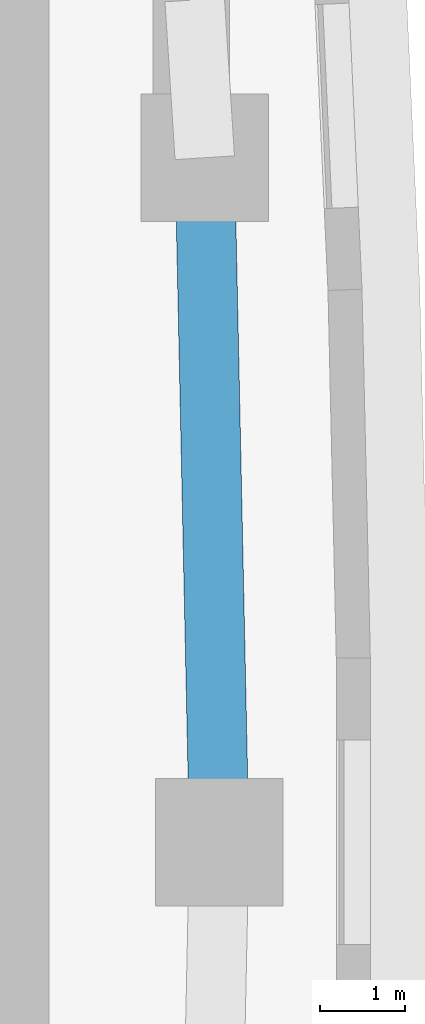
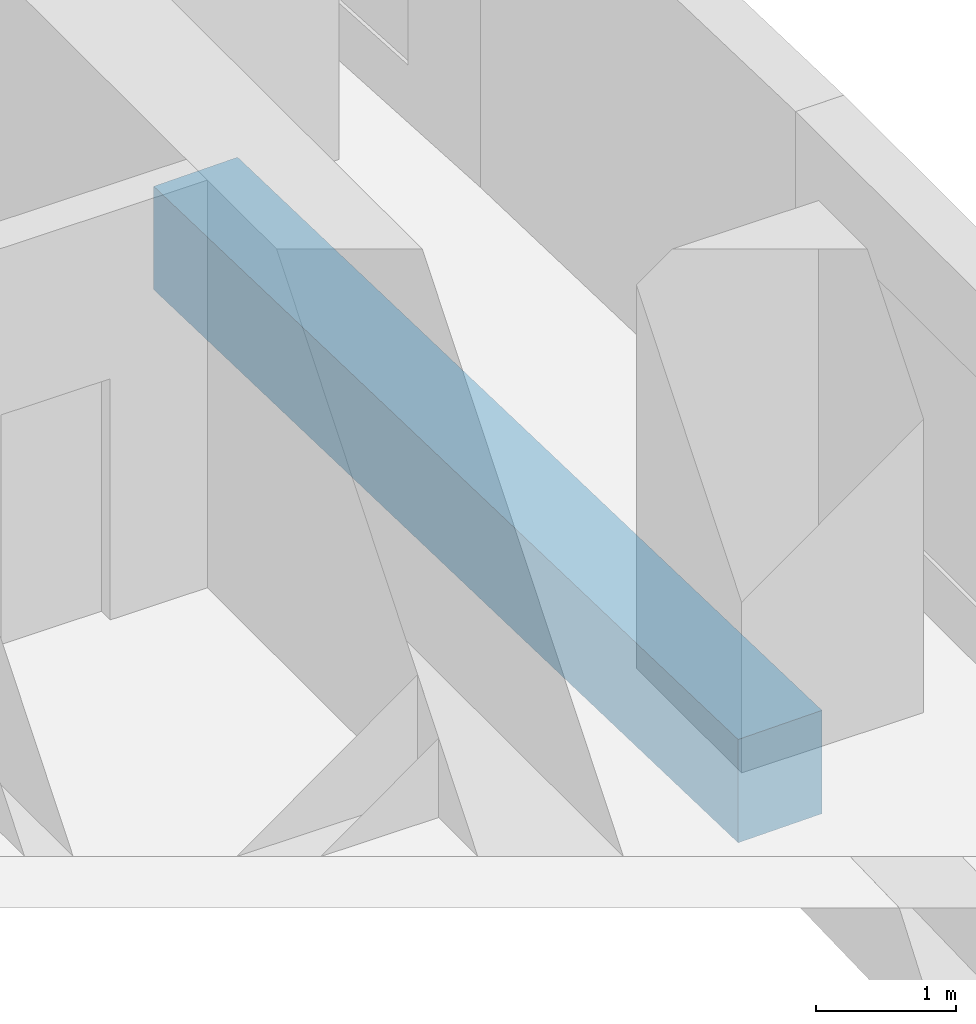
# One storey, part 4 of 17: 1 beam.
"""IFC4 building model written with IfcOpenShell, lengths in metres."""

from ifc_helpers import new_model, si_unit, direction, frame, origin, origin_2d, place, context, subcontext, project, spatial, rectangle, extrude, material, material_profile, profile_set, type_object, element, save


model = new_model("IFC4")

# Units and contexts
model_context = context("Model", 3, precision=1e-05, world=origin(), true_north=direction((0.0, 1.0)))
body_context = subcontext(model_context, "Body", "Model", "MODEL_VIEW")
ifc_project = project(units=[si_unit("LENGTHUNIT", "METRE"), si_unit("AREAUNIT", "SQUARE_METRE"), si_unit("VOLUMEUNIT", "CUBIC_METRE"), si_unit("PLANEANGLEUNIT", "RADIAN"), si_unit("MASSUNIT", "GRAM", prefix="KILO")], contexts=[model_context])

# Site, building, storey
site_placement = place(None, origin())
site = spatial("IfcSite", under=ifc_project, at=site_placement, CompositionType="ELEMENT")
building_placement = place(site_placement, origin())
building = spatial("IfcBuilding", under=site, at=building_placement, Name="Ostrand Prow Hotel Tower", CompositionType="ELEMENT")
storey_placement = place(building_placement, frame((0.0, 0.0, 137.300048828125)))
storey = spatial("IfcBuildingStorey", under=building, at=storey_placement, Name="L33", CompositionType="ELEMENT", Elevation=137.300048828125)

# Beam
ifc_material = material(Name="Concrete C70/85", Category="concrete")
ifc_material_profile = material_profile(ifc_material, rectangle(XDim=0.699951171875, YDim=0.89990234375, at=origin_2d()), Name="RC 700x900")
ifc_profile_set = profile_set([ifc_material_profile], Name="Concrete C70/85")
beam_type = type_object("IfcBeamType", Name="Edge beam 700x900 C70/85", PredefinedType="SPANDREL", material=ifc_profile_set)
beam_placement = place(storey_placement, frame((64.5, 0.0, -0.75), z_axis=(-0.021178217658, 0.999775716397, 0.0), x_axis=(-0.999775716397, -0.021178217658, 0.0)))
element("IfcBeam", 1, at=beam_placement, inside=storey, type_object=beam_type, Name="Edge beam B3-B4", PredefinedType="SPANDREL", context=body_context, shape_type="SweptSolid", body=[
    extrude(rectangle(XDim=0.699951171875, YDim=0.89990234375, at=origin_2d()), origin(), (0.0, 0.0, 1.0), 8.04638671875),
])

save(model, "model.ifc")
